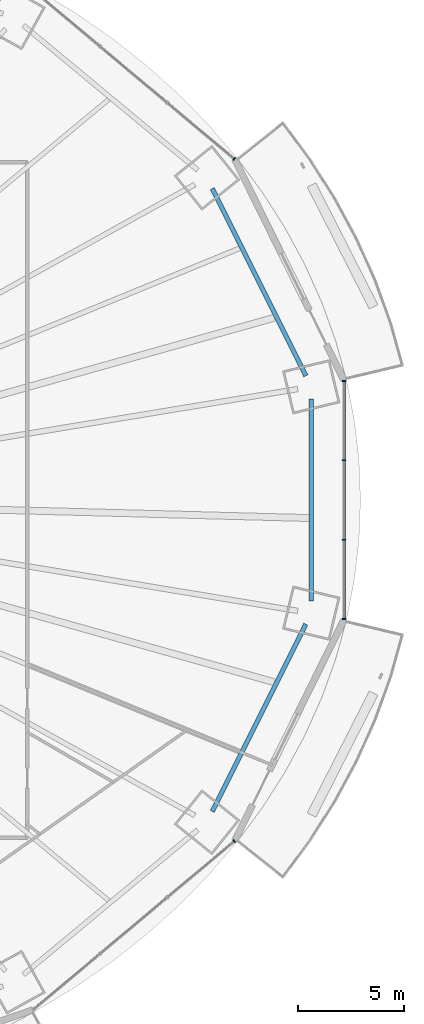
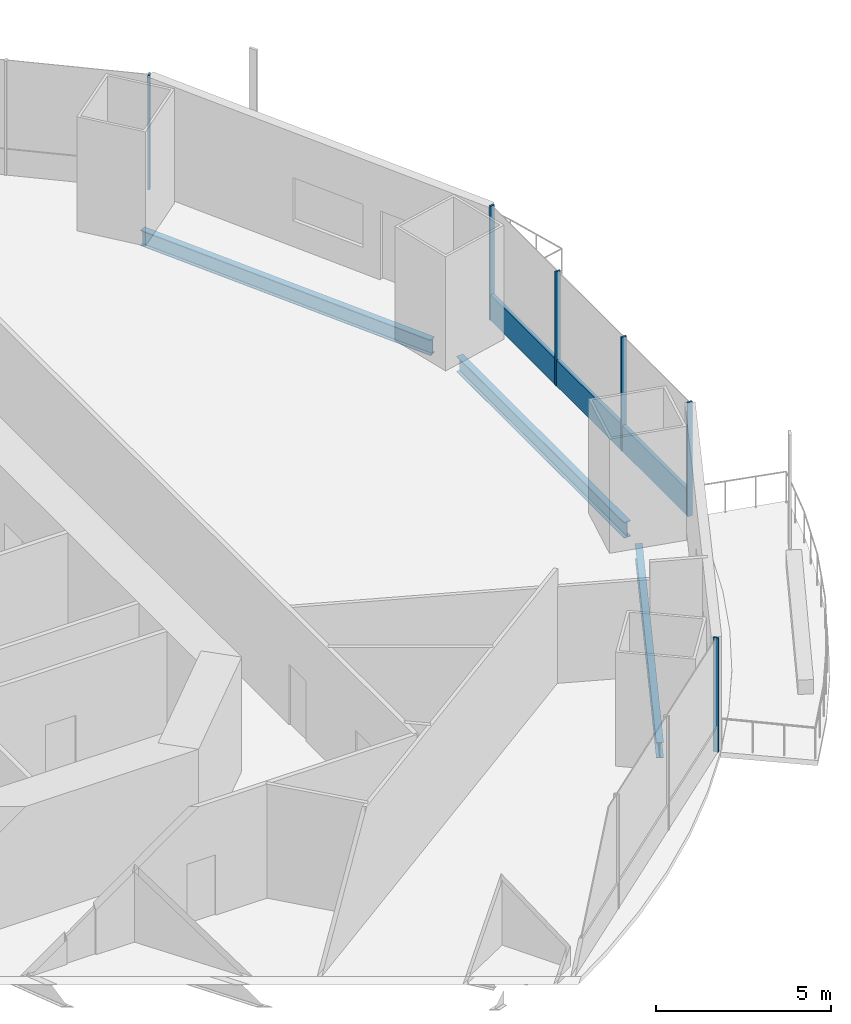
# One storey, part 11 of 22: 7 members, 3 beams, 3 elements without a shape of their own.
"""IFC4 building model written with IfcOpenShell, lengths in metres."""

from ifc_helpers import new_model, si_unit, direction, frame, origin, origin_2d, place, context, subcontext, project, spatial, rectangle, i_section, extrude, material, material_profile, profile_set, type_object, element, aggregate, save


model = new_model("IFC4")

# Units and contexts
model_context = context("Model", 3, precision=1e-05, world=origin(), true_north=direction((0.0, 1.0)))
body_context = subcontext(model_context, "Body", "Model", "MODEL_VIEW")
ifc_project = project(units=[si_unit("LENGTHUNIT", "METRE"), si_unit("AREAUNIT", "SQUARE_METRE"), si_unit("VOLUMEUNIT", "CUBIC_METRE"), si_unit("PLANEANGLEUNIT", "RADIAN"), si_unit("MASSUNIT", "GRAM", prefix="KILO")], contexts=[model_context])

# Site, building, storey
site_placement = place(None, origin())
site = spatial("IfcSite", under=ifc_project, at=site_placement, CompositionType="ELEMENT")
building_placement = place(site_placement, origin())
building = spatial("IfcBuilding", under=site, at=building_placement, Name="Marenthal Gate Tower", CompositionType="ELEMENT")
storey_placement = place(building_placement, frame((0.0, 0.0, 99.39990234375)))
storey = spatial("IfcBuildingStorey", under=building, at=storey_placement, Name="L20", CompositionType="ELEMENT", Elevation=99.39990234375)

# Curtain wall, member
ifc_material_1 = material(Name="Aluminium and glass", Category="aluminium")
curtain_wall_type = type_object("IfcCurtainWallType", Name="Curtain wall typical low", PredefinedType="NOTDEFINED", material=ifc_material_1)
curtain_wall_1_placement = place(storey_placement, origin())
curtain_wall_1 = element("IfcCurtainWall", 1, at=curtain_wall_1_placement, inside=storey, type_object=curtain_wall_type, Name="Curtain wall L20 bay 2", PredefinedType="NOTDEFINED")
ifc_material_2 = material(Name="Aluminium", Category="aluminium")
ifc_material_profile_1 = material_profile(ifc_material_2, rectangle(XDim=0.159912109375, YDim=0.06005859375, at=origin_2d()), Name="60x160 aluminium mullion")
ifc_profile_set_1 = profile_set([ifc_material_profile_1], Name="Aluminium")
member_type_1 = type_object("IfcMemberType", Name="Mullion 60x160 typical low", PredefinedType="MULLION", material=ifc_profile_set_1)
member_1_placement = place(storey_placement, frame((28.802490234375, 16.16015625, 0.0), z_axis=(0.0, 0.0, 1.0), x_axis=(-0.642307658805, -0.766446913648, 0.0)))
member_1 = element("IfcMember", 2, at=member_1_placement, type_object=member_type_1, Name="Mullion L20 bay 2.1", PredefinedType="MULLION", context=body_context, shape_type="SweptSolid", body=[
    extrude(rectangle(XDim=0.159912109375, YDim=0.06005859375, at=origin_2d()), origin(), (0.0, 0.0, 1.0), 3.97021484375),
])
aggregate(curtain_wall_1, [member_1])

curtain_wall_2_placement = place(storey_placement, origin())
curtain_wall_2 = element("IfcCurtainWall", 3, at=curtain_wall_2_placement, inside=storey, type_object=curtain_wall_type, Name="Curtain wall L20 bay 14", PredefinedType="NOTDEFINED")
member_2_placement = place(storey_placement, frame((28.802490234375, -16.160400390625, 0.0), z_axis=(0.0, 0.0, 1.0), x_axis=(-0.642307658805, 0.766446913648, 0.0)))
member_2 = element("IfcMember", 4, at=member_2_placement, type_object=member_type_1, Name="Mullion L20 bay 14.4", PredefinedType="MULLION", context=body_context, shape_type="SweptSolid", body=[
    extrude(rectangle(XDim=0.159912109375, YDim=0.06005859375, at=origin_2d()), origin(), (0.0, 0.0, 1.0), 3.97021484375),
])
aggregate(curtain_wall_2, [member_2])

# Curtain wall, members
curtain_wall_3_placement = place(storey_placement, origin())
curtain_wall_3 = element("IfcCurtainWall", 5, at=curtain_wall_3_placement, inside=storey, type_object=curtain_wall_type, Name="Curtain wall L20 bay 16", PredefinedType="NOTDEFINED")
member_3_placement = place(storey_placement, frame((34.001953125, -5.637939453125, 0.0), z_axis=(0.0, 0.0, 1.0), x_axis=(-1.0, 0.0, 0.0)))
member_3 = element("IfcMember", 6, at=member_3_placement, type_object=member_type_1, Name="Mullion L20 bay 16.1", PredefinedType="MULLION", context=body_context, shape_type="SweptSolid", body=[
    extrude(rectangle(XDim=0.159912109375, YDim=0.06005859375, at=origin_2d()), origin(), (0.0, 0.0, 1.0), 3.97021484375),
])
member_4_placement = place(storey_placement, frame((34.001953125, -1.87939453125, 0.0), z_axis=(0.0, 0.0, 1.0), x_axis=(-1.0, 0.0, 0.0)))
member_4 = element("IfcMember", 7, at=member_4_placement, type_object=member_type_1, Name="Mullion L20 bay 16.2", PredefinedType="MULLION", context=body_context, shape_type="SweptSolid", body=[
    extrude(rectangle(XDim=0.159912109375, YDim=0.06005859375, at=origin_2d()), origin(), (0.0, 0.0, 1.0), 3.97021484375),
])
member_5_placement = place(storey_placement, frame((34.001953125, 1.87939453125, 0.0), z_axis=(0.0, 0.0, 1.0), x_axis=(-1.0, 0.0, 0.0)))
member_5 = element("IfcMember", 8, at=member_5_placement, type_object=member_type_1, Name="Mullion L20 bay 16.3", PredefinedType="MULLION", context=body_context, shape_type="SweptSolid", body=[
    extrude(rectangle(XDim=0.159912109375, YDim=0.06005859375, at=origin_2d()), origin(), (0.0, 0.0, 1.0), 3.97021484375),
])
member_6_placement = place(storey_placement, frame((34.001953125, 5.637939453125, 0.0), z_axis=(0.0, 0.0, 1.0), x_axis=(-1.0, 0.0, 0.0)))
member_6 = element("IfcMember", 9, at=member_6_placement, type_object=member_type_1, Name="Mullion L20 bay 16.4", PredefinedType="MULLION", context=body_context, shape_type="SweptSolid", body=[
    extrude(rectangle(XDim=0.159912109375, YDim=0.06005859375, at=origin_2d()), origin(), (0.0, 0.0, 1.0), 3.97021484375),
])
ifc_material_3 = material(Name="Aluminium", Category="aluminium")
ifc_material_profile_2 = material_profile(ifc_material_3, rectangle(XDim=0.1201171875, YDim=0.89990234375, at=origin_2d()), Name="120x900 aluminium transom")
ifc_profile_set_2 = profile_set([ifc_material_profile_2], Name="Aluminium")
member_type_2 = type_object("IfcMemberType", Name="Transom 120x900 typical low", PredefinedType="USERDEFINED", material=ifc_profile_set_2)
member_7_placement = place(storey_placement, frame((34.001953125, -5.60791015625, 0.4501953125), z_axis=(0.0, 1.0, 0.0), x_axis=(-1.0, 0.0, 0.0)))
member_7 = element("IfcMember", 10, at=member_7_placement, type_object=member_type_2, Name="Transom L20 bay 16", ObjectType="TRANSOM", PredefinedType="USERDEFINED", context=body_context, shape_type="SweptSolid", body=[
    extrude(rectangle(XDim=0.1201171875, YDim=0.89990234375, at=origin_2d()), origin(), (0.0, 0.0, 1.0), 11.2158203125),
])
aggregate(curtain_wall_3, [member_3, member_4, member_5, member_6, member_7])

# Beams
ifc_material_4 = material(Name="Steel S355", Category="steel")
ifc_material_profile_3 = material_profile(ifc_material_4, i_section(OverallWidth=0.2119140625, OverallDepth=0.5439453125, WebThickness=0.01318359375, FlangeThickness=0.021240234375, FilletRadius=0.0126953125, at=origin_2d()), Name="W530X123")
ifc_profile_set_3 = profile_set([ifc_material_profile_3], Name="Steel S355")
beam_type = type_object("IfcBeamType", Name="W530X123 beam", PredefinedType="BEAM", material=ifc_profile_set_3)
for number, where, z_axis, x_axis, name in (
    (11, (32.1943359375, 5.876708984375, -0.451904296875), (-0.446405750938, 0.89483065746, 0.0), (-0.89483065746, -0.446405750938, 0.0), "BM-L20-41"),
    (12, (27.768310546875, -14.748779296875, -0.451904296875), (0.446405750938, 0.89483065746, 0.0), (-0.89483065746, 0.446405750938, 0.0), "BM-L20-55"),
):
    element("IfcBeam", number, at=place(storey_placement, frame(where, z_axis=z_axis, x_axis=x_axis)), inside=storey, type_object=beam_type, Name=name, PredefinedType="BEAM", context=body_context, shape_type="SweptSolid", body=[
        extrude(i_section(OverallWidth=0.2119140625, OverallDepth=0.5439453125, WebThickness=0.01318359375, FlangeThickness=0.021240234375, FilletRadius=0.0126953125, at=origin_2d()), origin(), (0.0, 0.0, 1.0), 9.914794921875),
    ])
beam_placement = place(storey_placement, frame((32.4521484375, -4.780029296875, -0.451904296875), z_axis=(0.0, 1.0, 0.0), x_axis=(-1.0, 0.0, 0.0)))
element("IfcBeam", 13, at=beam_placement, inside=storey, type_object=beam_type, Name="BM-L20-56", PredefinedType="BEAM", context=body_context, shape_type="SweptSolid", body=[
    extrude(i_section(OverallWidth=0.2119140625, OverallDepth=0.5439453125, WebThickness=0.01318359375, FlangeThickness=0.021240234375, FilletRadius=0.0126953125, at=origin_2d()), origin(), (0.0, 0.0, 1.0), 9.56005859375),
])

save(model, "model.ifc")
